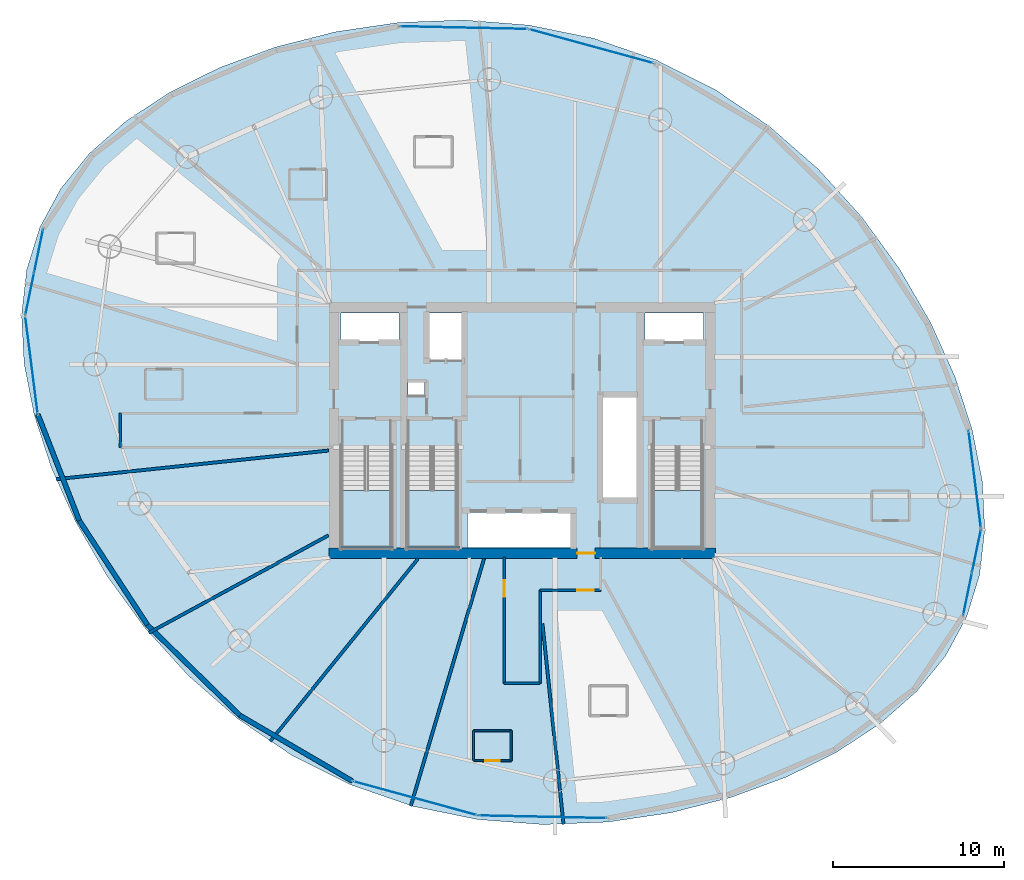
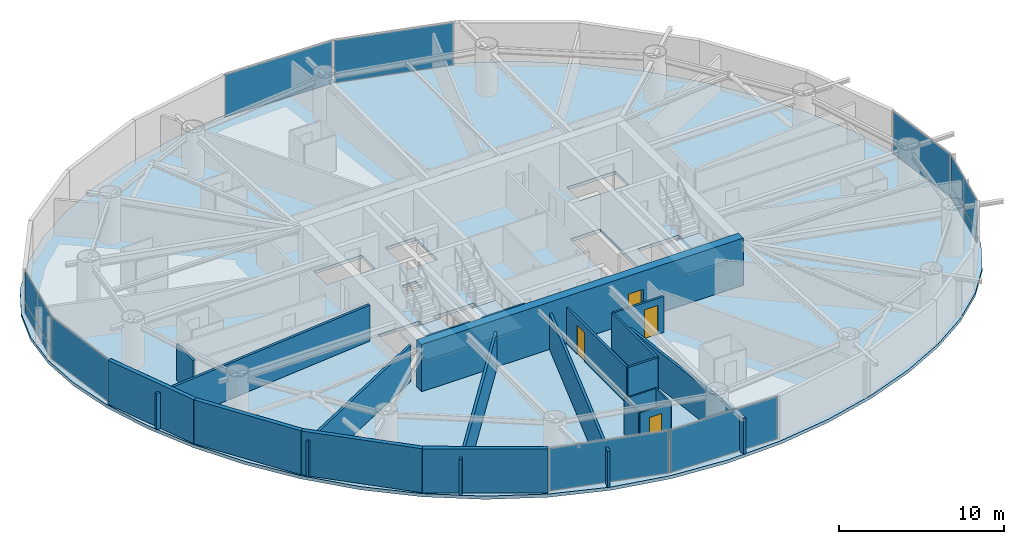
# One storey, part 19 of 26: 21 walls, 14 plates, 4 doors, 4 slabs, 4 openings, 11 elements without a shape of their own.
"""IFC4 building model written with IfcOpenShell, lengths in metres."""

from ifc_helpers import new_model, si_unit, direction, frame, frame_2d, origin, origin_2d, place, context, subcontext, project, spatial, polyline, rectangle, outline, extrude, material, layer, layer_set, type_object, element, fill, aggregate, save


model = new_model("IFC4")

# Units and contexts
model_context = context("Model", 3, precision=1e-05, world=origin(), true_north=direction((0.0, 1.0)))
body_context = subcontext(model_context, "Body", "Model", "MODEL_VIEW")
ifc_project = project(units=[si_unit("LENGTHUNIT", "METRE"), si_unit("AREAUNIT", "SQUARE_METRE"), si_unit("VOLUMEUNIT", "CUBIC_METRE"), si_unit("PLANEANGLEUNIT", "RADIAN"), si_unit("MASSUNIT", "GRAM", prefix="KILO")], contexts=[model_context])

# Site, building, storey
site_placement = place(None, origin())
site = spatial("IfcSite", under=ifc_project, at=site_placement, CompositionType="ELEMENT")
building_placement = place(site_placement, origin())
building = spatial("IfcBuilding", under=site, at=building_placement, Name="Bramvorn Convention Spire", CompositionType="ELEMENT")
storey_placement = place(building_placement, frame((0.0, 0.0, 123.800048828125)))
storey = spatial("IfcBuildingStorey", under=building, at=storey_placement, Name="L30", CompositionType="ELEMENT", Elevation=123.800048828125)

# Curtain wall, plates
ifc_material_1 = material(Name="Anodised Bronze Unitised Curtain Wall", Category="aluminium")
ifc_layer_1 = layer(ifc_material_1, 0.179931640625)
ifc_layer_set_1 = layer_set([ifc_layer_1], Name="Anodised Bronze Unitised Curtain Wall - CW-HTL-FRIT")
curtain_wall_type = type_object("IfcCurtainWallType", Name="CW-HTL-FRIT", PredefinedType="USERDEFINED", material=ifc_layer_set_1)
curtain_wall_1_placement = place(storey_placement, origin())
curtain_wall_1 = element("IfcCurtainWall", 1, at=curtain_wall_1_placement, inside=storey, type_object=curtain_wall_type, Name="L30 fritted glass curtain wall 01", ObjectType="UNITISED CURTAIN WALL", PredefinedType="USERDEFINED")
ifc_material_2 = material(Name="Laminated Low-E Glass (Triple IGU Tapered Ceramic Frit 40%)", Category="glass")
ifc_layer_2 = layer(ifc_material_2, 0.0380859375)
ifc_layer_set_2 = layer_set([ifc_layer_2], Name="Laminated Low-E Glass (Triple IGU Tapered Ceramic Frit 40%) - PNL-IGU-2")
plate_type = type_object("IfcPlateType", Name="PNL-IGU-2", PredefinedType="CURTAIN_PANEL", material=ifc_layer_set_2)
plate_1_placement = place(storey_placement, frame((64.5791015625, 18.9423828125, 0.059814453125), z_axis=(0.0, 0.0, 1.0), x_axis=(-0.203153881394, -0.979146822736, 0.0)))
plate_1 = element("IfcPlate", 2, at=plate_1_placement, type_object=plate_type, Name="CW2 panel 1.1", PredefinedType="CURTAIN_PANEL", context=body_context, shape_type="SweptSolid", body=[
    extrude(rectangle(XDim=2.497314453125, YDim=0.028076171875, at=origin_2d()), origin(), (0.0, 0.0, 1.0), 0.81005859375),
])
plate_2_placement = place(storey_placement, frame((64.5791015625, 18.9423828125, 0.929931640625), z_axis=(0.0, 0.0, 1.0), x_axis=(-0.203153881394, -0.979146822736, 0.0)))
plate_2 = element("IfcPlate", 3, at=plate_2_placement, type_object=plate_type, Name="CW2 panel 1.2", PredefinedType="CURTAIN_PANEL", context=body_context, shape_type="SweptSolid", body=[
    extrude(rectangle(XDim=2.497314453125, YDim=0.028076171875, at=origin_2d()), origin(), (0.0, 0.0, 1.0), 2.27001953125),
])
plate_3_placement = place(storey_placement, frame((64.0595703125, 16.438720703125, 0.059814453125), z_axis=(0.0, 0.0, 1.0), x_axis=(-0.203153881394, -0.979146822736, 0.0)))
plate_3 = element("IfcPlate", 4, at=plate_3_placement, type_object=plate_type, Name="CW2 panel 2.1", PredefinedType="CURTAIN_PANEL", context=body_context, shape_type="SweptSolid", body=[
    extrude(rectangle(XDim=2.497314453125, YDim=0.028076171875, at=origin_2d()), origin(), (0.0, 0.0, 1.0), 0.81005859375),
])
plate_4_placement = place(storey_placement, frame((64.0595703125, 16.438720703125, 0.929931640625), z_axis=(0.0, 0.0, 1.0), x_axis=(-0.203153881394, -0.979146822736, 0.0)))
plate_4 = element("IfcPlate", 5, at=plate_4_placement, type_object=plate_type, Name="CW2 panel 2.2", PredefinedType="CURTAIN_PANEL", context=body_context, shape_type="SweptSolid", body=[
    extrude(rectangle(XDim=2.497314453125, YDim=0.028076171875, at=origin_2d()), origin(), (0.0, 0.0, 1.0), 2.27001953125),
])
aggregate(curtain_wall_1, [plate_1, plate_2, plate_3, plate_4])

# Curtain wall, plate
curtain_wall_2_placement = place(storey_placement, origin())
curtain_wall_2 = element("IfcCurtainWall", 6, at=curtain_wall_2_placement, inside=storey, type_object=curtain_wall_type, Name="L30 fritted glass curtain wall 02", ObjectType="UNITISED CURTAIN WALL", PredefinedType="USERDEFINED")
plate_5_placement = place(storey_placement, frame((64.477783203125, 23.11181640625, 0.06005859375), z_axis=(0.0, 0.0, 1.0), x_axis=(0.126059459955, -0.992022687521, 0.0)))
plate_5 = element("IfcPlate", 7, at=plate_5_placement, type_object=plate_type, Name="CW2 panel 1.1", PredefinedType="CURTAIN_PANEL", context=body_context, shape_type="SweptSolid", body=[
    extrude(rectangle(XDim=5.70263671875, YDim=0.028076171875, at=origin_2d()), origin(), (0.0, 0.0, 1.0), 3.139892578125),
])
aggregate(curtain_wall_2, [plate_5])

curtain_wall_3_placement = place(storey_placement, origin())
curtain_wall_3 = element("IfcCurtainWall", 8, at=curtain_wall_3_placement, inside=storey, type_object=curtain_wall_type, Name="L30 fritted glass curtain wall 07", ObjectType="UNITISED CURTAIN WALL", PredefinedType="USERDEFINED")
plate_6_placement = place(storey_placement, frame((42.04248046875, 48.457763671875, 0.06005859375), z_axis=(0.0, 0.0, 1.0), x_axis=(0.96454476018, -0.263919316475, 0.0)))
plate_6 = element("IfcPlate", 9, at=plate_6_placement, type_object=plate_type, Name="CW2 panel 1.1", PredefinedType="CURTAIN_PANEL", context=body_context, shape_type="SweptSolid", body=[
    extrude(rectangle(XDim=7.49755859375, YDim=0.028076171875, at=origin_2d()), origin(), (0.0, 0.0, 1.0), 3.139892578125),
])
aggregate(curtain_wall_3, [plate_6])

curtain_wall_4_placement = place(storey_placement, origin())
curtain_wall_4 = element("IfcCurtainWall", 10, at=curtain_wall_4_placement, inside=storey, type_object=curtain_wall_type, Name="L30 fritted glass curtain wall 08", ObjectType="UNITISED CURTAIN WALL", PredefinedType="USERDEFINED")
plate_7_placement = place(storey_placement, frame((34.5849609375, 49.542236328125, 0.06005859375), z_axis=(0.0, 0.0, 1.0), x_axis=(0.999780729192, -0.020940237269, 0.0)))
plate_7 = element("IfcPlate", 11, at=plate_7_placement, type_object=plate_type, Name="CW2 panel 1.1", PredefinedType="CURTAIN_PANEL", context=body_context, shape_type="SweptSolid", body=[
    extrude(rectangle(XDim=7.44921875, YDim=0.028076171875, at=origin_2d()), origin(), (0.0, 0.0, 1.0), 3.139892578125),
])
aggregate(curtain_wall_4, [plate_7])

# Curtain wall, plates
curtain_wall_5_placement = place(storey_placement, origin())
curtain_wall_5 = element("IfcCurtainWall", 12, at=curtain_wall_5_placement, inside=storey, type_object=curtain_wall_type, Name="L30 fritted glass curtain wall 13", ObjectType="UNITISED CURTAIN WALL", PredefinedType="USERDEFINED")
plate_8_placement = place(storey_placement, frame((9.20849609375, 33.987548828125, 0.059814453125), z_axis=(0.0, 0.0, 1.0), x_axis=(0.203157725724, 0.979146025105, 0.0)))
plate_8 = element("IfcPlate", 13, at=plate_8_placement, type_object=plate_type, Name="CW2 panel 1.1", PredefinedType="CURTAIN_PANEL", context=body_context, shape_type="SweptSolid", body=[
    extrude(rectangle(XDim=2.4970703125, YDim=0.028076171875, at=origin_2d()), origin(), (0.0, 0.0, 1.0), 0.81005859375),
])
plate_9_placement = place(storey_placement, frame((9.20849609375, 33.987548828125, 0.929931640625), z_axis=(0.0, 0.0, 1.0), x_axis=(0.203157725724, 0.979146025105, 0.0)))
plate_9 = element("IfcPlate", 14, at=plate_9_placement, type_object=plate_type, Name="CW2 panel 1.2", PredefinedType="CURTAIN_PANEL", context=body_context, shape_type="SweptSolid", body=[
    extrude(rectangle(XDim=2.4970703125, YDim=0.028076171875, at=origin_2d()), origin(), (0.0, 0.0, 1.0), 2.27001953125),
])
plate_10_placement = place(storey_placement, frame((9.72802734375, 36.491455078125, 0.059814453125), z_axis=(0.0, 0.0, 1.0), x_axis=(0.203157725724, 0.979146025105, 0.0)))
plate_10 = element("IfcPlate", 15, at=plate_10_placement, type_object=plate_type, Name="CW2 panel 2.1", PredefinedType="CURTAIN_PANEL", context=body_context, shape_type="SweptSolid", body=[
    extrude(rectangle(XDim=2.4970703125, YDim=0.028076171875, at=origin_2d()), origin(), (0.0, 0.0, 1.0), 0.81005859375),
])
plate_11_placement = place(storey_placement, frame((9.72802734375, 36.491455078125, 0.929931640625), z_axis=(0.0, 0.0, 1.0), x_axis=(0.203157725724, 0.979146025105, 0.0)))
plate_11 = element("IfcPlate", 16, at=plate_11_placement, type_object=plate_type, Name="CW2 panel 2.2", PredefinedType="CURTAIN_PANEL", context=body_context, shape_type="SweptSolid", body=[
    extrude(rectangle(XDim=2.4970703125, YDim=0.028076171875, at=origin_2d()), origin(), (0.0, 0.0, 1.0), 2.27001953125),
])
aggregate(curtain_wall_5, [plate_8, plate_9, plate_10, plate_11])

# Curtain wall, plate
curtain_wall_6_placement = place(storey_placement, origin())
curtain_wall_6 = element("IfcCurtainWall", 17, at=curtain_wall_6_placement, inside=storey, type_object=curtain_wall_type, Name="L30 fritted glass curtain wall 14", ObjectType="UNITISED CURTAIN WALL", PredefinedType="USERDEFINED")
plate_12_placement = place(storey_placement, frame((9.3095703125, 29.818115234375, 0.06005859375), z_axis=(0.0, 0.0, 1.0), x_axis=(-0.12607421334, 0.99202081265, 0.0)))
plate_12 = element("IfcPlate", 18, at=plate_12_placement, type_object=plate_type, Name="CW2 panel 1.1", PredefinedType="CURTAIN_PANEL", context=body_context, shape_type="SweptSolid", body=[
    extrude(rectangle(XDim=5.702880859375, YDim=0.028076171875, at=origin_2d()), origin(), (0.0, 0.0, 1.0), 3.139892578125),
])
aggregate(curtain_wall_6, [plate_12])

curtain_wall_7_placement = place(storey_placement, origin())
curtain_wall_7 = element("IfcCurtainWall", 19, at=curtain_wall_7_placement, inside=storey, type_object=curtain_wall_type, Name="L30 fritted glass curtain wall 19", ObjectType="UNITISED CURTAIN WALL", PredefinedType="USERDEFINED")
plate_13_placement = place(storey_placement, frame((31.7451171875, 4.472412109375, 0.06005859375), z_axis=(0.0, 0.0, 1.0), x_axis=(-0.964548101927, 0.263907103105, 0.0)))
plate_13 = element("IfcPlate", 20, at=plate_13_placement, type_object=plate_type, Name="CW2 panel 1.1", PredefinedType="CURTAIN_PANEL", context=body_context, shape_type="SweptSolid", body=[
    extrude(rectangle(XDim=7.49755859375, YDim=0.028076171875, at=origin_2d()), origin(), (0.0, 0.0, 1.0), 3.139892578125),
])
aggregate(curtain_wall_7, [plate_13])

curtain_wall_8_placement = place(storey_placement, origin())
curtain_wall_8 = element("IfcCurtainWall", 21, at=curtain_wall_8_placement, inside=storey, type_object=curtain_wall_type, Name="L30 fritted glass curtain wall 20", ObjectType="UNITISED CURTAIN WALL", PredefinedType="USERDEFINED")
plate_14_placement = place(storey_placement, frame((39.20263671875, 3.387939453125, 0.06005859375), z_axis=(0.0, 0.0, 1.0), x_axis=(-0.999780458313, 0.020953166222, 0.0)))
plate_14 = element("IfcPlate", 22, at=plate_14_placement, type_object=plate_type, Name="CW2 panel 1.1", PredefinedType="CURTAIN_PANEL", context=body_context, shape_type="SweptSolid", body=[
    extrude(rectangle(XDim=7.44921875, YDim=0.028076171875, at=origin_2d()), origin(), (0.0, 0.0, 1.0), 3.139892578125),
])
aggregate(curtain_wall_8, [plate_14])

# Stair, slab
ifc_material_3 = material(Name="Concrete C40/50 Precast Stair", Category="concrete")
stair_type = type_object("IfcStairType", Name="ST-TOWER-1550", PredefinedType="HALF_TURN_STAIR", material=ifc_material_3)
stair_1_placement = place(storey_placement, origin())
stair_1 = element("IfcStair", 23, at=stair_1_placement, inside=storey, type_object=stair_type, Name="L30 Protected Exit Stair ST1", PredefinedType="HALF_TURN_STAIR")
ifc_material_4 = material(Name="Concrete C40/50 Stair Landing", Category="concrete")
ifc_layer_3 = layer(ifc_material_4, 0.219970703125)
ifc_layer_set_3 = layer_set([ifc_layer_3], Name="Concrete C40/50 Stair Landing - SLB-STAIR-LANDING")
slab_type_1 = type_object("IfcSlabType", Name="SLB-STAIR-LANDING", PredefinedType="LANDING", material=ifc_layer_set_3)
slab_1_placement = place(storey_placement, frame((0.0, 0.0, 1.550048828125)))
slab_1 = element("IfcSlab", 24, at=slab_1_placement, type_object=slab_type_1, Name="ST1 landing 1", PredefinedType="LANDING", context=body_context, shape_type="SweptSolid", body=[
    extrude(outline(polyline([(27.449951171875, 22.485107421875), (27.449951171875, 19.10009765625), (30.35009765625, 19.10009765625), (30.35009765625, 22.485107421875), (27.449951171875, 22.485107421875)])), origin(), (0.0, 0.0, 1.0), 0.199951171875),
])
aggregate(stair_1, [slab_1])

stair_2_placement = place(storey_placement, origin())
stair_2 = element("IfcStair", 25, at=stair_2_placement, inside=storey, type_object=stair_type, Name="L30 Protected Exit Stair ST2", PredefinedType="HALF_TURN_STAIR")
slab_2_placement = place(storey_placement, frame((0.0, 0.0, 1.550048828125)))
slab_2 = element("IfcSlab", 26, at=slab_2_placement, type_object=slab_type_1, Name="ST2 landing 1", PredefinedType="LANDING", context=body_context, shape_type="SweptSolid", body=[
    extrude(outline(polyline([(45.64990234375, 22.485107421875), (45.64990234375, 19.10009765625), (48.550048828125, 19.10009765625), (48.550048828125, 22.485107421875), (45.64990234375, 22.485107421875)])), origin(), (0.0, 0.0, 1.0), 0.199951171875),
])
aggregate(stair_2, [slab_2])

stair_3_placement = place(storey_placement, origin())
stair_3 = element("IfcStair", 27, at=stair_3_placement, inside=storey, type_object=stair_type, Name="L30 Protected Exit Stair ST3", PredefinedType="HALF_TURN_STAIR")
slab_3_placement = place(storey_placement, frame((0.0, 0.0, 1.550048828125)))
slab_3 = element("IfcSlab", 28, at=slab_3_placement, type_object=slab_type_1, Name="ST3 landing 1", PredefinedType="LANDING", context=body_context, shape_type="SweptSolid", body=[
    extrude(outline(polyline([(31.300048828125, 22.485107421875), (31.300048828125, 19.10009765625), (34.199951171875, 19.10009765625), (34.199951171875, 22.485107421875), (31.300048828125, 22.485107421875)])), origin(), (0.0, 0.0, 1.0), 0.199951171875),
])
aggregate(stair_3, [slab_3])

# Slab
ifc_material_5 = material(Name="Concrete C50/60", Category="concrete")
ifc_layer_4 = layer(ifc_material_5, 0.239990234375)
ifc_layer_set_4 = layer_set([ifc_layer_4], Name="Concrete C50/60 - SLB-Z2-240")
slab_type_2 = type_object("IfcSlabType", Name="SLB-Z2-240", PredefinedType="FLOOR", material=ifc_layer_set_4)
slab_4_placement = place(storey_placement, frame((0.0, 0.0, -0.239990234375)))
element("IfcSlab", 29, at=slab_4_placement, inside=storey, type_object=slab_type_2, Name="L30 tower floor slab", PredefinedType="FLOOR", context=body_context, shape_type="SweptSolid", body=[
    extrude(outline(polyline([(63.99658203125, 15.072021484375), (64.7587890625, 17.534423828125), (65.061279296875, 20.190185546875), (64.91357421875, 23.028564453125), (64.327392578125, 26.023681640625), (63.316650390625, 29.13232421875), (61.894775390625, 32.29345703125), (60.076904296875, 35.429931640625), (57.87939453125, 38.45361328125), (55.32275390625, 41.272216796875), (52.43359375, 43.797119140625), (49.247314453125, 45.949951171875), (45.80810546875, 47.671630859375), (42.172119140625, 48.924072265625), (38.404296875, 49.6943359375), (34.5791015625, 49.9921875), (30.776611328125, 49.8466796875), (27.07861328125, 49.30126953125), (23.565673828125, 48.405517578125), (20.3125, 47.209716796875), (17.384033203125, 45.756591796875), (14.833984375, 44.079833984375), (12.702880859375, 42.19970703125), (11.01708984375, 40.12548828125), (9.791015625, 37.85791015625), (9.02880859375, 35.3955078125), (8.726318359375, 32.73974609375), (8.8740234375, 29.901611328125), (9.460205078125, 26.906494140625), (10.470947265625, 23.797607421875), (11.892578125, 20.636474609375), (13.710693359375, 17.5), (15.908203125, 14.476318359375), (18.46484375, 11.65771484375), (21.353759765625, 9.133056640625), (24.540283203125, 6.97998046875), (27.9794921875, 5.258544921875), (31.615478515625, 4.005859375), (35.38330078125, 3.235595703125), (39.20849609375, 2.93798828125), (43.010986328125, 3.083251953125), (46.708984375, 3.62890625), (50.2216796875, 4.5244140625), (53.47509765625, 5.720458984375), (56.403564453125, 7.17333984375), (58.953369140625, 8.85009765625), (61.084716796875, 10.730224609375), (62.7705078125, 12.8046875), (63.99658203125, 15.072021484375)]), holes=[polyline([(27.449951171875, 25.050048828125), (27.449951171875, 19.10009765625), (30.35009765625, 19.10009765625), (30.35009765625, 25.050048828125), (27.449951171875, 25.050048828125)]), polyline([(45.64990234375, 25.050048828125), (45.64990234375, 19.10009765625), (48.550048828125, 19.10009765625), (48.550048828125, 25.050048828125), (45.64990234375, 25.050048828125)]), polyline([(31.300048828125, 25.050048828125), (31.300048828125, 19.10009765625), (34.199951171875, 19.10009765625), (34.199951171875, 25.050048828125), (31.300048828125, 25.050048828125)]), polyline([(27.39990234375, 31.219970703125), (30.800048828125, 31.219970703125), (30.800048828125, 32.85009765625), (27.39990234375, 32.85009765625), (27.39990234375, 31.219970703125)]), polyline([(45.199951171875, 31.219970703125), (48.60009765625, 31.219970703125), (48.60009765625, 32.85009765625), (45.199951171875, 32.85009765625), (45.199951171875, 31.219970703125)]), polyline([(32.449951171875, 30.14990234375), (34.56005859375, 30.14990234375), (34.56005859375, 32.85009765625), (32.449951171875, 32.85009765625), (32.449951171875, 30.14990234375)]), polyline([(34.800048828125, 19.14990234375), (40.97998046875, 19.14990234375), (40.97998046875, 21.199951171875), (34.800048828125, 21.199951171875), (34.800048828125, 19.14990234375)]), polyline([(42.6201171875, 22.0), (44.75, 22.0), (44.75, 28.0), (42.6201171875, 28.0), (42.6201171875, 22.0)]), polyline([(31.320068359375, 28.02001953125), (32.280029296875, 28.02001953125), (32.280029296875, 28.820068359375), (31.320068359375, 28.820068359375), (31.320068359375, 28.02001953125)])]), origin(), (0.0, 0.0, 1.0), 0.239990234375),
])

# Wall, opening, door
ifc_material_6 = material(Name="Concrete C60/70", Category="concrete")
ifc_layer_5 = layer(ifc_material_6, 0.60009765625)
ifc_layer_set_5 = layer_set([ifc_layer_5], Name="Concrete C60/70 - WL-CORE-600")
wall_type_1 = type_object("IfcWallType", Name="WL-CORE-600", PredefinedType="SHEAR", material=ifc_layer_set_5)
wall_1_placement = place(storey_placement, frame((26.699951171875, 18.800048828125, 0.0), z_axis=(0.0, 0.0, 1.0), x_axis=(1.0, 0.0, 0.0)))
wall_1 = element("IfcWall", 30, at=wall_1_placement, inside=storey, type_object=wall_type_1, Name="L30 South RC core shear wall", PredefinedType="SHEAR", context=body_context, shape_type="SweptSolid", body=[
    extrude(rectangle(XDim=22.60009765625, YDim=0.60009765625, at=frame_2d((11.300048828125, 0.0))), origin(), (0.0, 0.0, 1.0), 3.5),
])
opening_1_placement = place(wall_1_placement, frame((14.52001953125, 0.0, 0.0)))
opening_1 = element("IfcOpeningElement", 31, at=opening_1_placement, cuts=wall_1, Name="Opening DL-105", PredefinedType="OPENING", context=body_context, shape_type="SweptSolid", body=[
    extrude(rectangle(XDim=1.050048828125, YDim=2.14990234375, at=frame_2d((0.52490234375, 1.074951171875))), frame((0.0, 0.31005859375, 0.0), z_axis=(0.0, -1.0, 0.0), x_axis=(1.0, 0.0, 0.0)), (0.0, 0.0, 1.0), 0.6201171875),
])
ifc_material_7 = material(Name="Smoke-Sealed Fire Lobby Timber-Core Door", Category="wood")
door_type_1 = type_object("IfcDoorType", Name="DR-LOBBY-1050", OperationType="NOTDEFINED", PredefinedType="DOOR", material=ifc_material_7)
door_1_placement = place(opening_1_placement, origin())
door_1 = element("IfcDoor", 32, at=door_1_placement, inside=storey, type_object=door_type_1, Name="L30 South Lift Lobby fire door", OperationType="SINGLE_SWING_RIGHT", OverallHeight=2.14990234375, OverallWidth=1.050048828125, PredefinedType="DOOR", context=body_context, shape_type="SweptSolid", body=[
    extrude(rectangle(XDim=1.050048828125, YDim=2.14990234375, at=frame_2d((0.52490234375, 1.074951171875))), frame((0.0, 0.02490234375, 0.0), z_axis=(0.0, -1.0, 0.0), x_axis=(1.0, 0.0, 0.0)), (0.0, 0.0, 1.0), 0.050048828125),
])
fill(opening_1, door_1)

# Walls
ifc_material_8 = material(Name="Precast Concrete C40/50 with Bronze Terracotta Rainscreen", Category="masonry")
ifc_layer_6 = layer(ifc_material_8, 0.300048828125)
ifc_layer_set_6 = layer_set([ifc_layer_6], Name="Precast Concrete C40/50 with Bronze Terracotta Rainscreen - WL-EXT-BRONZE-300")
wall_type_2 = type_object("IfcWallType", Name="WL-EXT-BRONZE-300", PredefinedType="SOLIDWALL", material=ifc_layer_set_6)
wall_2_placement = place(storey_placement, frame((12.096435546875, 20.7197265625, 0.0), z_axis=(0.0, 0.0, 1.0), x_axis=(-0.363045434625, 0.931771437853, 0.0)))
element("IfcWall", 33, at=wall_2_placement, inside=storey, type_object=wall_type_2, Name="L30 expressed bronze Gothic lancet pier wall 15", PredefinedType="SOLIDWALL", context=body_context, shape_type="SweptSolid", body=[
    extrude(rectangle(XDim=6.6650390625, YDim=0.280029296875, at=frame_2d((3.33251953125, 0.0))), origin(), (0.0, 0.0, 1.0), 3.260009765625),
])
wall_3_placement = place(storey_placement, frame((16.08642578125, 14.6162109375, 0.0), z_axis=(0.0, 0.0, 1.0), x_axis=(-0.547175391008, 0.837017975598, 0.0)))
element("IfcWall", 34, at=wall_3_placement, inside=storey, type_object=wall_type_2, Name="L30 expressed bronze Gothic lancet pier wall 16", PredefinedType="SOLIDWALL", context=body_context, shape_type="SweptSolid", body=[
    extrude(rectangle(XDim=7.2919921875, YDim=0.280029296875, at=frame_2d((3.64599609375, 0.0))), origin(), (0.0, 0.0, 1.0), 3.260009765625),
])
wall_4_placement = place(storey_placement, frame((21.494384765625, 9.320556640625, 0.0), z_axis=(0.0, 0.0, 1.0), x_axis=(-0.714486575901, 0.699649149829, 0.0)))
element("IfcWall", 35, at=wall_4_placement, inside=storey, type_object=wall_type_2, Name="L30 expressed bronze Gothic lancet pier wall 17", PredefinedType="SOLIDWALL", context=body_context, shape_type="SweptSolid", body=[
    extrude(rectangle(XDim=7.569091796875, YDim=0.280029296875, at=frame_2d((3.78466796875, 0.0))), origin(), (0.0, 0.0, 1.0), 3.260009765625),
])
wall_5_placement = place(storey_placement, frame((28.0712890625, 5.4775390625, 0.0), z_axis=(0.0, 0.0, 1.0), x_axis=(-0.863407844602, 0.504506584575, 0.0)))
element("IfcWall", 36, at=wall_5_placement, inside=storey, type_object=wall_type_2, Name="L30 expressed bronze Gothic lancet pier wall 18", PredefinedType="SOLIDWALL", context=body_context, shape_type="SweptSolid", body=[
    extrude(rectangle(XDim=7.617431640625, YDim=0.280029296875, at=frame_2d((3.80859375, 0.0))), origin(), (0.0, 0.0, 1.0), 3.260009765625),
])

# Wall, opening, door
ifc_material_9 = material(Name="Lightweight En-Suite & Wet-Wall Partition", Category="gypsum")
ifc_layer_7 = layer(ifc_material_9, 0.110107421875)
ifc_layer_set_7 = layer_set([ifc_layer_7], Name="Lightweight En-Suite & Wet-Wall Partition - WL-PART-110")
wall_type_3 = type_object("IfcWallType", Name="WL-PART-110", PredefinedType="PARTITIONING", material=ifc_layer_set_7)
wall_6_placement = place(storey_placement, frame((35.1591796875, 6.666259765625, 0.0), z_axis=(0.0, 0.0, 1.0), x_axis=(1.0, 0.0, 0.0)))
wall_6 = element("IfcWall", 37, at=wall_6_placement, inside=storey, type_object=wall_type_3, Name="Hotel Suite 3012 en-suite south wall", PredefinedType="PARTITIONING", context=body_context, shape_type="SweptSolid", body=[
    extrude(rectangle(XDim=2.199951171875, YDim=0.110107421875, at=frame_2d((1.10009765625, 0.0))), origin(), (0.0, 0.0, 1.0), 2.675048828125),
])
opening_2_placement = place(wall_6_placement, frame((0.679931640625, 0.0, 0.0)))
opening_2 = element("IfcOpeningElement", 38, at=opening_2_placement, cuts=wall_6, Name="Opening DI-085", PredefinedType="OPENING", context=body_context, shape_type="SweptSolid", body=[
    extrude(rectangle(XDim=0.85009765625, YDim=2.10009765625, at=frame_2d((0.425048828125, 1.050048828125))), frame((0.0, 0.06494140625, 0.0), z_axis=(0.0, -1.0, 0.0), x_axis=(1.0, 0.0, 0.0)), (0.0, 0.0, 1.0), 0.130126953125),
])
ifc_material_10 = material(Name="En-Suite & Restroom Privacy Door", Category="wood")
door_type_2 = type_object("IfcDoorType", Name="DR-INT-850", OperationType="NOTDEFINED", PredefinedType="DOOR", material=ifc_material_10)
door_2_placement = place(opening_2_placement, origin())
door_2 = element("IfcDoor", 39, at=door_2_placement, inside=storey, type_object=door_type_2, Name="Hotel Suite 3012 En-Suite Bathroom door", OperationType="SINGLE_SWING_LEFT", OverallHeight=2.10009765625, OverallWidth=0.85009765625, PredefinedType="DOOR", context=body_context, shape_type="SweptSolid", body=[
    extrude(rectangle(XDim=0.85009765625, YDim=2.10009765625, at=frame_2d((0.425048828125, 1.050048828125))), frame((0.0, 0.02490234375, 0.0), z_axis=(0.0, -1.0, 0.0), x_axis=(1.0, 0.0, 0.0)), (0.0, 0.0, 1.0), 0.050048828125),
])
fill(opening_2, door_2)

# Walls
wall_7_placement = place(storey_placement, frame((35.1591796875, 8.42626953125, 0.0), z_axis=(0.0, 0.0, 1.0), x_axis=(1.0, 0.0, 0.0)))
element("IfcWall", 40, at=wall_7_placement, inside=storey, type_object=wall_type_3, Name="Hotel Suite 3012 en-suite north wall", PredefinedType="PARTITIONING", context=body_context, shape_type="SweptSolid", body=[
    extrude(rectangle(XDim=2.199951171875, YDim=0.110107421875, at=frame_2d((1.10009765625, 0.0))), origin(), (0.0, 0.0, 1.0), 2.675048828125),
])
for number, where, z_axis, x_axis, name in (
    (41, (35.1591796875, 6.666259765625, 0.0), (0.0, 0.0, 1.0), (0.0, 1.0, 0.0), "Hotel Suite 3012 en-suite west wall"),
    (42, (37.359130859375, 6.666259765625, 0.0), (0.0, 0.0, 1.0), (0.0, 1.0, 0.0), "Hotel Suite 3012 en-suite east wall"),
):
    element("IfcWall", number, at=place(storey_placement, frame(where, z_axis=z_axis, x_axis=x_axis)), inside=storey, type_object=wall_type_3, Name=name, PredefinedType="PARTITIONING", context=body_context, shape_type="SweptSolid", body=[
        extrude(rectangle(XDim=1.760009765625, YDim=0.110107421875, at=frame_2d((0.8798828125, 0.0))), origin(), (0.0, 0.0, 1.0), 2.675048828125),
    ])
ifc_material_11 = material(Name="Acoustic Metal-Stud Tenant/Corridor Partition", Category="gypsum")
ifc_layer_8 = layer(ifc_material_11, 0.14990234375)
ifc_layer_set_8 = layer_set([ifc_layer_8], Name="Acoustic Metal-Stud Tenant/Corridor Partition - WL-PART-150")
wall_type_4 = type_object("IfcWallType", Name="WL-PART-150", PredefinedType="PARTITIONING", material=ifc_layer_set_8)
wall_8_placement = place(storey_placement, frame((14.5, 25.0, 0.0), z_axis=(0.0, 0.0, 1.0), x_axis=(0.0, 1.0, 0.0)))
element("IfcWall", 43, at=wall_8_placement, inside=storey, type_object=wall_type_4, Name="L30 West wing spine end wall", PredefinedType="PARTITIONING", context=body_context, shape_type="SweptSolid", body=[
    extrude(rectangle(XDim=2.0, YDim=0.14990234375, at=frame_2d((1.0, 0.0))), origin(), (0.0, 0.0, 1.0), 2.675048828125),
])

# Wall, opening, door
wall_9_placement = place(storey_placement, frame((36.949951171875, 11.199951171875, 0.0), z_axis=(0.0, 0.0, 1.0), x_axis=(0.0, 1.0, 0.0)))
wall_9 = element("IfcWall", 44, at=wall_9_placement, inside=storey, type_object=wall_type_4, Name="L30 South axial spine west wall", PredefinedType="PARTITIONING", context=body_context, shape_type="SweptSolid", body=[
    extrude(rectangle(XDim=7.400146484375, YDim=0.14990234375, at=frame_2d((3.7001953125, 0.0))), origin(), (0.0, 0.0, 1.0), 2.675048828125),
])
opening_3_placement = place(wall_9_placement, frame((5.074951171875, 0.0, 0.0)))
opening_3 = element("IfcOpeningElement", 45, at=opening_3_placement, cuts=wall_9, Name="Opening DH-095", PredefinedType="OPENING", context=body_context, shape_type="SweptSolid", body=[
    extrude(rectangle(XDim=0.949951171875, YDim=2.14990234375, at=frame_2d((0.47509765625, 1.074951171875))), frame((0.0, 0.0849609375, 0.0), z_axis=(0.0, -1.0, 0.0), x_axis=(1.0, 0.0, 0.0)), (0.0, 0.0, 1.0), 0.169921875),
])
ifc_material_12 = material(Name="Solid-Core Acoustic Guestroom Entry Door", Category="wood")
door_type_3 = type_object("IfcDoorType", Name="DR-HOTEL-950", OperationType="NOTDEFINED", PredefinedType="DOOR", material=ifc_material_12)
door_3_placement = place(opening_3_placement, origin())
door_3 = element("IfcDoor", 46, at=door_3_placement, inside=storey, type_object=door_type_3, Name="Hotel Suite 3012 entry door", OperationType="SINGLE_SWING_LEFT", OverallHeight=2.14990234375, OverallWidth=0.949951171875, PredefinedType="DOOR", context=body_context, shape_type="SweptSolid", body=[
    extrude(rectangle(XDim=0.949951171875, YDim=2.14990234375, at=frame_2d((0.47509765625, 1.074951171875))), frame((0.0, 0.02490234375, 0.0), z_axis=(0.0, -1.0, 0.0), x_axis=(1.0, 0.0, 0.0)), (0.0, 0.0, 1.0), 0.050048828125),
])
fill(opening_3, door_3)

# Wall
wall_10_placement = place(storey_placement, frame((39.050048828125, 11.199951171875, 0.0), z_axis=(0.0, 0.0, 1.0), x_axis=(0.0, 1.0, 0.0)))
element("IfcWall", 47, at=wall_10_placement, inside=storey, type_object=wall_type_4, Name="L30 South axial spine east wall", PredefinedType="PARTITIONING", context=body_context, shape_type="SweptSolid", body=[
    extrude(rectangle(XDim=5.449951171875, YDim=0.14990234375, at=frame_2d((2.72509765625, 0.0))), origin(), (0.0, 0.0, 1.0), 2.675048828125),
])

# Wall, opening, door
wall_11_placement = place(storey_placement, frame((39.050048828125, 16.64990234375, 0.0), z_axis=(0.0, 0.0, 1.0), x_axis=(1.0, 0.0, 0.0)))
wall_11 = element("IfcWall", 48, at=wall_11_placement, inside=storey, type_object=wall_type_4, Name="L30 South lift lobby link wall", PredefinedType="PARTITIONING", context=body_context, shape_type="SweptSolid", body=[
    extrude(rectangle(XDim=3.550048828125, YDim=0.14990234375, at=frame_2d((1.77490234375, 0.0))), origin(), (0.0, 0.0, 1.0), 2.675048828125),
])
opening_4_placement = place(wall_11_placement, frame((2.1875, 0.0, 0.0)))
opening_4 = element("IfcOpeningElement", 49, at=opening_4_placement, cuts=wall_11, Name="Opening DH-095", PredefinedType="OPENING", context=body_context, shape_type="SweptSolid", body=[
    extrude(rectangle(XDim=0.949951171875, YDim=2.14990234375, at=frame_2d((0.47509765625, 1.074951171875))), frame((0.0, 0.0849609375, 0.0), z_axis=(0.0, -1.0, 0.0), x_axis=(1.0, 0.0, 0.0)), (0.0, 0.0, 1.0), 0.169921875),
])
door_4_placement = place(opening_4_placement, origin())
door_4 = element("IfcDoor", 50, at=door_4_placement, inside=storey, type_object=door_type_3, Name="Hotel Suite 3013 entry door", OperationType="SINGLE_SWING_RIGHT", OverallHeight=2.14990234375, OverallWidth=0.949951171875, PredefinedType="DOOR", context=body_context, shape_type="SweptSolid", body=[
    extrude(rectangle(XDim=0.949951171875, YDim=2.14990234375, at=frame_2d((0.47509765625, 1.074951171875))), frame((0.0, 0.02490234375, 0.0), z_axis=(0.0, -1.0, 0.0), x_axis=(1.0, 0.0, 0.0)), (0.0, 0.0, 1.0), 0.050048828125),
])
fill(opening_4, door_4)

# Walls
wall_12_placement = place(storey_placement, frame((36.949951171875, 11.199951171875, 0.0), z_axis=(0.0, 0.0, 1.0), x_axis=(1.0, 0.0, 0.0)))
element("IfcWall", 51, at=wall_12_placement, inside=storey, type_object=wall_type_4, Name="L30 South axial spine end wall", PredefinedType="PARTITIONING", context=body_context, shape_type="SweptSolid", body=[
    extrude(rectangle(XDim=2.10009765625, YDim=0.14990234375, at=frame_2d((1.050048828125, 0.0))), origin(), (0.0, 0.0, 1.0), 2.675048828125),
])
ifc_material_13 = material(Name="Double-Stud Acoustic Hotel/Suite Partition", Category="gypsum")
ifc_layer_9 = layer(ifc_material_13, 0.175048828125)
ifc_layer_set_9 = layer_set([ifc_layer_9], Name="Double-Stud Acoustic Hotel/Suite Partition - WL-PART-175")
wall_type_5 = type_object("IfcWallType", Name="WL-PART-175", PredefinedType="PARTITIONING", material=ifc_layer_set_9)
wall_13_placement = place(storey_placement, frame((26.677978515625, 24.81005859375, 0.0), z_axis=(0.0, 0.0, 1.0), x_axis=(-0.994521382237, -0.104533345274, 0.0)))
element("IfcWall", 52, at=wall_13_placement, inside=storey, type_object=wall_type_5, Name="L30 Guestroom demising wall 9", PredefinedType="PARTITIONING", context=body_context, shape_type="SweptSolid", body=[
    extrude(rectangle(XDim=16.02880859375, YDim=0.175048828125, at=frame_2d((8.014404296875, 0.0))), origin(), (0.0, 0.0, 1.0), 2.675048828125),
])
wall_14_placement = place(storey_placement, frame((26.679931640625, 19.853759765625, 0.0), z_axis=(0.0, 0.0, 1.0), x_axis=(-0.878819691028, -0.47715401147, 0.0)))
element("IfcWall", 53, at=wall_14_placement, inside=storey, type_object=wall_type_5, Name="L30 Guestroom demising wall 10", PredefinedType="PARTITIONING", context=body_context, shape_type="SweptSolid", body=[
    extrude(rectangle(XDim=11.963134765625, YDim=0.175048828125, at=frame_2d((5.9814453125, 0.0))), origin(), (0.0, 0.0, 1.0), 2.675048828125),
])
wall_15_placement = place(storey_placement, frame((31.910400390625, 18.47998046875, 0.0), z_axis=(0.0, 0.0, 1.0), x_axis=(-0.629315289337, -0.777150092715, 0.0)))
element("IfcWall", 54, at=wall_15_placement, inside=storey, type_object=wall_type_5, Name="L30 Guestroom demising wall 11", PredefinedType="PARTITIONING", context=body_context, shape_type="SweptSolid", body=[
    extrude(rectangle(XDim=13.73828125, YDim=0.175048828125, at=frame_2d((6.869140625, 0.0))), origin(), (0.0, 0.0, 1.0), 2.675048828125),
])
wall_16_placement = place(storey_placement, frame((35.7724609375, 18.47998046875, 0.0), z_axis=(0.0, 0.0, 1.0), x_axis=(-0.284008430424, -0.958821782944, 0.0)))
element("IfcWall", 55, at=wall_16_placement, inside=storey, type_object=wall_type_5, Name="L30 Guestroom demising wall 12", PredefinedType="PARTITIONING", context=body_context, shape_type="SweptSolid", body=[
    extrude(rectangle(XDim=15.08544921875, YDim=0.175048828125, at=frame_2d((7.542724609375, 0.0))), origin(), (0.0, 0.0, 1.0), 2.675048828125),
])
wall_17_placement = place(storey_placement, frame((39.18994140625, 14.677978515625, 0.0), z_axis=(0.0, 0.0, 1.0), x_axis=(0.10453602325, -0.994521100753, 0.0)))
element("IfcWall", 56, at=wall_17_placement, inside=storey, type_object=wall_type_5, Name="L30 Guestroom demising wall 13", PredefinedType="PARTITIONING", context=body_context, shape_type="SweptSolid", body=[
    extrude(rectangle(XDim=11.78955078125, YDim=0.175048828125, at=frame_2d((5.894775390625, 0.0))), origin(), (0.0, 0.0, 1.0), 2.675048828125),
])
ifc_layer_10 = layer(ifc_material_5, 0.1201171875)
ifc_layer_set_10 = layer_set([ifc_layer_10], Name="Concrete C50/60 - WL-STAIR-RC-120")
wall_type_6 = type_object("IfcWallType", Name="WL-STAIR-RC-120", PredefinedType="SHEAR", material=ifc_layer_set_10)
wall_18_placement = place(storey_placement, frame((27.39501953125, 19.159912109375, 0.0), z_axis=(0.0, 0.0, 1.0), x_axis=(1.0, 0.0, 0.0)))
element("IfcWall", 57, at=wall_18_placement, inside=storey, type_object=wall_type_6, Name="L30 ST1 south bearing shear wall", PredefinedType="SHEAR", context=body_context, shape_type="SweptSolid", body=[
    extrude(rectangle(XDim=3.094970703125, YDim=0.1201171875, at=frame_2d((1.54736328125, 0.0))), origin(), (0.0, 0.0, 1.0), 3.5),
])
wall_19_placement = place(storey_placement, frame((31.300048828125, 19.159912109375, 0.0), z_axis=(0.0, 0.0, 1.0), x_axis=(1.0, 0.0, 0.0)))
element("IfcWall", 58, at=wall_19_placement, inside=storey, type_object=wall_type_6, Name="L30 ST3 south bearing shear wall", PredefinedType="SHEAR", context=body_context, shape_type="SweptSolid", body=[
    extrude(rectangle(XDim=3.0400390625, YDim=0.1201171875, at=frame_2d((1.52001953125, 0.0))), origin(), (0.0, 0.0, 1.0), 3.5),
])

save(model, "model.ifc")
